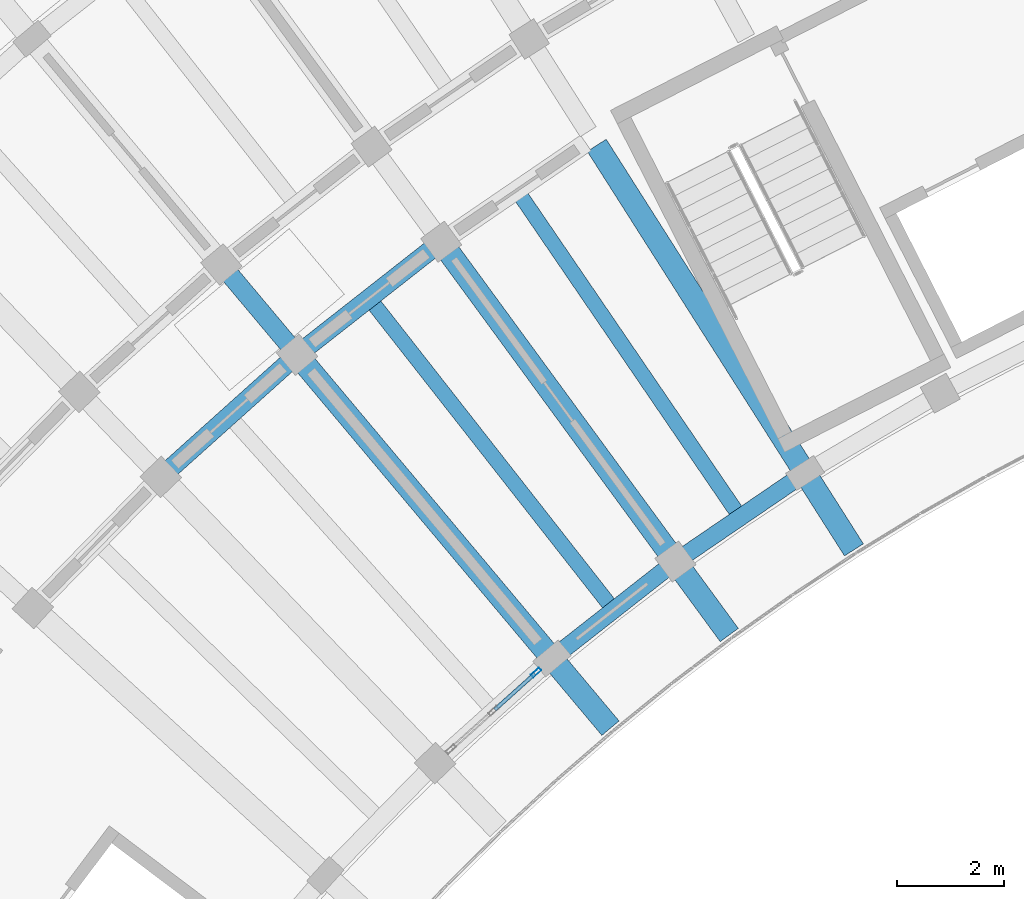
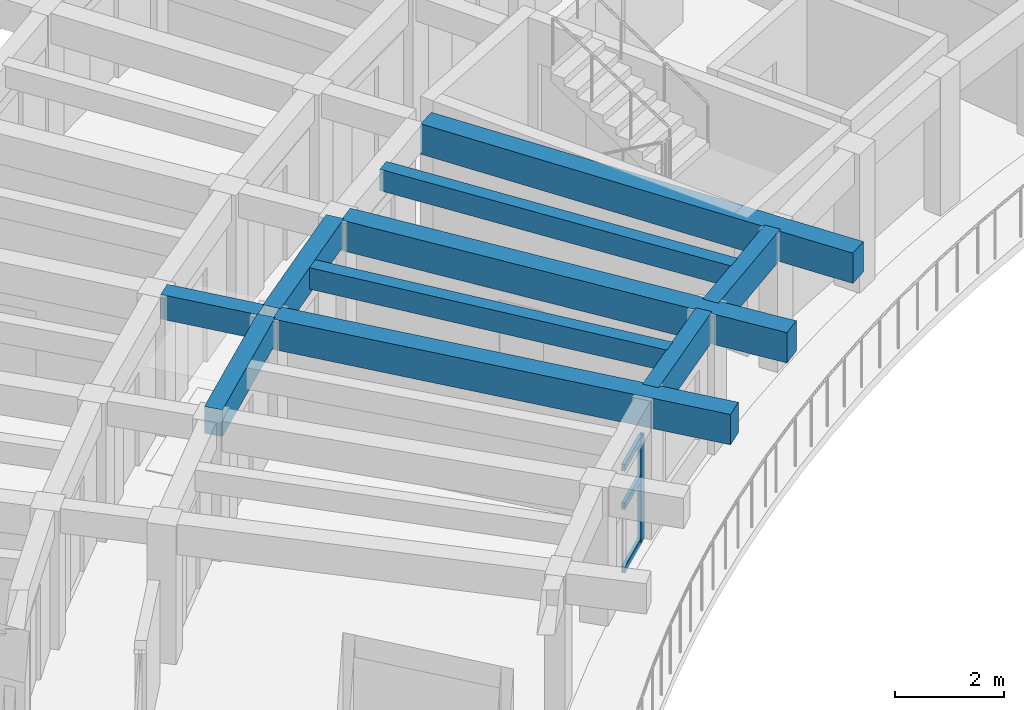
# One storey, part 13 of 81: 10 beams, 4 members, 1 element without a shape of its own.
"""IFC4 building model written with IfcOpenShell, lengths in metres."""

from ifc_helpers import new_model, si_unit, direction, frame, origin, origin_2d, place, context, subcontext, project, spatial, rectangle, hollow_rectangle, extrude, material, material_profile, profile_set, type_object, element, aggregate, save


model = new_model("IFC4")

# Units and contexts
model_context = context("Model", 3, precision=1e-05, world=origin(), true_north=direction((0.0, 1.0)))
body_context = subcontext(model_context, "Body", "Model", "MODEL_VIEW")
ifc_project = project(units=[si_unit("LENGTHUNIT", "METRE"), si_unit("AREAUNIT", "SQUARE_METRE"), si_unit("VOLUMEUNIT", "CUBIC_METRE"), si_unit("PLANEANGLEUNIT", "RADIAN"), si_unit("MASSUNIT", "GRAM", prefix="KILO")], contexts=[model_context])

# Site, building, storey
site_placement = place(None, origin())
site = spatial("IfcSite", under=ifc_project, at=site_placement, CompositionType="ELEMENT")
building_placement = place(site_placement, origin())
building = spatial("IfcBuilding", under=site, at=building_placement, Name="Tanwirah Colonnade Gardens", CompositionType="ELEMENT")
storey_placement = place(building_placement, frame((0.0, 0.0, 8.840087890625)))
storey = spatial("IfcBuildingStorey", under=building, at=storey_placement, Name="L02", CompositionType="ELEMENT", Elevation=8.840087890625)

# Beams
ifc_material_1 = material(Name="Precast concrete C40/50", Category="concrete")
ifc_material_profile_1 = material_profile(ifc_material_1, rectangle(XDim=0.35009765625, YDim=0.550048828125, at=origin_2d()), Name="PC-BM 350x550")
ifc_profile_set_1 = profile_set([ifc_material_profile_1], Name="Precast concrete C40/50")
beam_type_1 = type_object("IfcBeamType", Name="BM-PC350A", PredefinedType="BEAM", material=ifc_profile_set_1)
beam_placement = place(storey_placement, frame((31.574951171875, 100.034423828125, 2.829833984375), z_axis=(-0.642797194343, 0.766036400535, 0.0), x_axis=(-0.766036400535, -0.642797194343, 0.0)))
element("IfcBeam", 1, at=beam_placement, inside=storey, type_object=beam_type_1, Name="Block A L02 Corridor Tie Beam 9", PredefinedType="BEAM", context=body_context, shape_type="SweptSolid", body=[
    extrude(rectangle(XDim=0.35009765625, YDim=0.550048828125, at=origin_2d()), origin(), (0.0, 0.0, 1.0), 1.89990234375),
])
ifc_material_profile_2 = material_profile(ifc_material_1, rectangle(XDim=0.35009765625, YDim=0.60009765625, at=origin_2d()), Name="PC-BM 350x600")
ifc_profile_set_2 = profile_set([ifc_material_profile_2], Name="Precast concrete C40/50")
beam_type_2 = type_object("IfcBeamType", Name="BM-PC350B", PredefinedType="BEAM", material=ifc_profile_set_2)
for number, where, z_axis, x_axis, name in (
    (2, (34.242919921875, 101.9365234375, 2.804931640625), (-0.78679899272, -0.617209320292, 0.0), (0.617209320292, -0.78679899272, 0.0), "Block A L02 Circumferential Beam 8-R1"),
    (3, (31.559814453125, 99.8193359375, 2.804931640625), (-0.744429866059, -0.667700662363, 0.0), (0.667700662363, -0.744429866059, 0.0), "Block A L02 Circumferential Beam 9-R1"),
):
    element("IfcBeam", number, at=place(storey_placement, frame(where, z_axis=z_axis, x_axis=x_axis)), inside=storey, type_object=beam_type_2, Name=name, PredefinedType="BEAM", context=body_context, shape_type="SweptSolid", body=[
        extrude(rectangle(XDim=0.35009765625, YDim=0.60009765625, at=origin_2d()), origin(), (0.0, 0.0, 1.0), 3.1181640625),
    ])
ifc_material_2 = material(Name="Precast concrete C45/55", Category="concrete")
ifc_material_profile_3 = material_profile(ifc_material_2, rectangle(XDim=0.419921875, YDim=0.679931640625, at=origin_2d()), Name="PC-BM 420x680")
ifc_profile_set_3 = profile_set([ifc_material_profile_3], Name="Precast concrete C45/55")
beam_type_3 = type_object("IfcBeamType", Name="BM-PC420", PredefinedType="BEAM", material=ifc_profile_set_3)
for number, where, z_axis, x_axis, name in (
    (4, (37.263916015625, 103.830322265625, 2.764892578125), (0.536483588607, -0.843910753075, 0.0), (0.843910753075, 0.536483588607, 0.0), "Block A L02 Inner Radial Precast Girder 7"),
    (5, (34.449462890625, 101.907958984375, 2.764892578125), (0.590927205009, -0.806724883947, 0.0), (0.806724883947, 0.590927205009, 0.0), "Block A L02 Inner Radial Precast Girder 8"),
    (6, (31.767822265625, 99.804443359375, 2.764892578125), (0.64279407932, -0.766039014406, 0.0), (0.766039014406, 0.64279407932, 0.0), "Block A L02 Inner Radial Precast Girder 9"),
):
    element("IfcBeam", number, at=place(storey_placement, frame(where, z_axis=z_axis, x_axis=x_axis)), inside=storey, type_object=beam_type_3, Name=name, PredefinedType="BEAM", context=body_context, shape_type="SweptSolid", body=[
        extrude(rectangle(XDim=0.419921875, YDim=0.679931640625, at=origin_2d()), origin(), (0.0, 0.0, 1.0), 8.949951171875),
    ])

# Curtain wall, members
ifc_material_3 = material(Name="Bronze-anodised aluminium and solar-control low-E glass", Category="aluminium")
curtain_wall_type = type_object("IfcCurtainWallType", Name="CW-GDN", PredefinedType="NOTDEFINED", material=ifc_material_3)
curtain_wall_placement = place(storey_placement, origin())
curtain_wall = element("IfcCurtainWall", 7, at=curtain_wall_placement, inside=storey, type_object=curtain_wall_type, Name="Curtain Wall CW-A-L02-IN-09", PredefinedType="NOTDEFINED")
ifc_material_4 = material(Name="Bronze-anodised aluminium", Category="aluminium")
ifc_material_profile_4 = material_profile(ifc_material_4, hollow_rectangle(XDim=0.070068359375, YDim=0.199951171875, WallThickness=0.00390625, at=origin_2d()), Name="CW-MUL 70x200x4")
ifc_profile_set_4 = profile_set([ifc_material_profile_4], Name="Bronze-anodised aluminium")
member_type_1 = type_object("IfcMemberType", Name="CWM-70x200", PredefinedType="MULLION", material=ifc_profile_set_4)
member_1_placement = place(storey_placement, frame((36.134033203125, 93.987060546875, 0.0), z_axis=(0.0, 0.0, 1.0), x_axis=(0.667689182798, -0.744440162253, 0.0)))
member_1 = element("IfcMember", 8, at=member_1_placement, type_object=member_type_1, Name="CW-GDN mullion 1", PredefinedType="MULLION", context=body_context, shape_type="SweptSolid", body=[
    extrude(hollow_rectangle(XDim=0.070068359375, YDim=0.199951171875, WallThickness=0.00390625, at=origin_2d()), origin(), (0.0, 0.0, 1.0), 2.35498046875),
])
ifc_material_profile_5 = material_profile(ifc_material_4, hollow_rectangle(XDim=0.070068359375, YDim=0.14990234375, WallThickness=0.00390625, at=origin_2d()), Name="CW-TRN 70x150x4")
ifc_profile_set_5 = profile_set([ifc_material_profile_5], Name="Bronze-anodised aluminium")
member_type_2 = type_object("IfcMemberType", Name="CWT-70x150", PredefinedType="USERDEFINED", material=ifc_profile_set_5)
member_2_placement = place(storey_placement, frame((36.10791015625, 93.963623046875, 0.034912109375), z_axis=(-0.744397854763, -0.667736350534, 0.0), x_axis=(0.667736350534, -0.744397854763, 0.0)))
member_2 = element("IfcMember", 9, at=member_2_placement, type_object=member_type_2, Name="CW-GDN transom 1.1", ObjectType="TRANSOM", PredefinedType="USERDEFINED", context=body_context, shape_type="SweptSolid", body=[
    extrude(hollow_rectangle(XDim=0.070068359375, YDim=0.14990234375, WallThickness=0.00390625, at=origin_2d()), origin(), (0.0, 0.0, 1.0), 1.0),
])
member_3_placement = place(storey_placement, frame((36.10791015625, 93.963623046875, 1.4599609375), z_axis=(-0.744397854763, -0.667736350534, 0.0), x_axis=(0.667736350534, -0.744397854763, 0.0)))
member_3 = element("IfcMember", 10, at=member_3_placement, type_object=member_type_2, Name="CW-GDN transom 1.2", ObjectType="TRANSOM", PredefinedType="USERDEFINED", context=body_context, shape_type="SweptSolid", body=[
    extrude(hollow_rectangle(XDim=0.070068359375, YDim=0.14990234375, WallThickness=0.00390625, at=origin_2d()), origin(), (0.0, 0.0, 1.0), 1.0),
])
member_4_placement = place(storey_placement, frame((36.10791015625, 93.963623046875, 2.31982421875), z_axis=(-0.744397854763, -0.667736350534, 0.0), x_axis=(0.667736350534, -0.744397854763, 0.0)))
member_4 = element("IfcMember", 11, at=member_4_placement, type_object=member_type_2, Name="CW-GDN transom 1.3", ObjectType="TRANSOM", PredefinedType="USERDEFINED", context=body_context, shape_type="SweptSolid", body=[
    extrude(hollow_rectangle(XDim=0.070068359375, YDim=0.14990234375, WallThickness=0.00390625, at=origin_2d()), origin(), (0.0, 0.0, 1.0), 1.0),
])
aggregate(curtain_wall, [member_1, member_2, member_3, member_4])

# Beams
ifc_material_profile_6 = material_profile(ifc_material_1, rectangle(XDim=0.280029296875, YDim=0.47998046875, at=origin_2d()), Name="PC-JST 280x480")
ifc_profile_set_6 = profile_set([ifc_material_profile_6], Name="Precast concrete C40/50")
beam_type_4 = type_object("IfcBeamType", Name="JST-PC280", PredefinedType="JOIST", material=ifc_profile_set_6)
for number, where, z_axis, x_axis, name in (
    (12, (39.8623046875, 97.004638671875, 2.864990234375), (-0.564021195806, 0.825760310672, 0.0), (-0.825760310672, -0.564021195806, 0.0), "Block A L02 Inner Precast Floor Joist 7"),
    (13, (37.491943359375, 95.268310546875, 2.864990234375), (-0.617202438917, 0.786804390808, 0.0), (-0.786804390808, -0.617202438917, 0.0), "Block A L02 Inner Precast Floor Joist 8"),
):
    element("IfcBeam", number, at=place(storey_placement, frame(where, z_axis=z_axis, x_axis=x_axis)), inside=storey, type_object=beam_type_4, Name=name, PredefinedType="JOIST", context=body_context, shape_type="SweptSolid", body=[
        extrude(rectangle(XDim=0.280029296875, YDim=0.47998046875, at=origin_2d()), origin(), (0.0, 0.0, 1.0), 7.159912109375),
    ])
ifc_material_profile_7 = material_profile(ifc_material_2, rectangle(XDim=0.320068359375, YDim=0.679931640625, at=origin_2d()), Name="PC-SP 320x680")
ifc_profile_set_7 = profile_set([ifc_material_profile_7], Name="Precast concrete C45/55")
beam_type_5 = type_object("IfcBeamType", Name="SP-PC320", PredefinedType="SPANDREL", material=ifc_profile_set_7)
for number, where, z_axis, x_axis, name in (
    (14, (41.029541015625, 97.627197265625, 2.764892578125), (-0.825800981874, -0.563961646158, 0.0), (0.563961646158, -0.825800981874, 0.0), "Block A L02 Circumferential Beam 7-R0"),
    (15, (38.61572265625, 95.966552734375, 2.764892578125), (-0.786836625031, -0.617161344795, 0.0), (0.617161344795, -0.786836625031, 0.0), "Block A L02 Circumferential Beam 8-R0"),
):
    element("IfcBeam", number, at=place(storey_placement, frame(where, z_axis=z_axis, x_axis=x_axis)), inside=storey, type_object=beam_type_5, Name=name, PredefinedType="SPANDREL", context=body_context, shape_type="SweptSolid", body=[
        extrude(rectangle(XDim=0.320068359375, YDim=0.679931640625, at=origin_2d()), origin(), (0.0, 0.0, 1.0), 2.63037109375),
    ])

save(model, "model.ifc")
